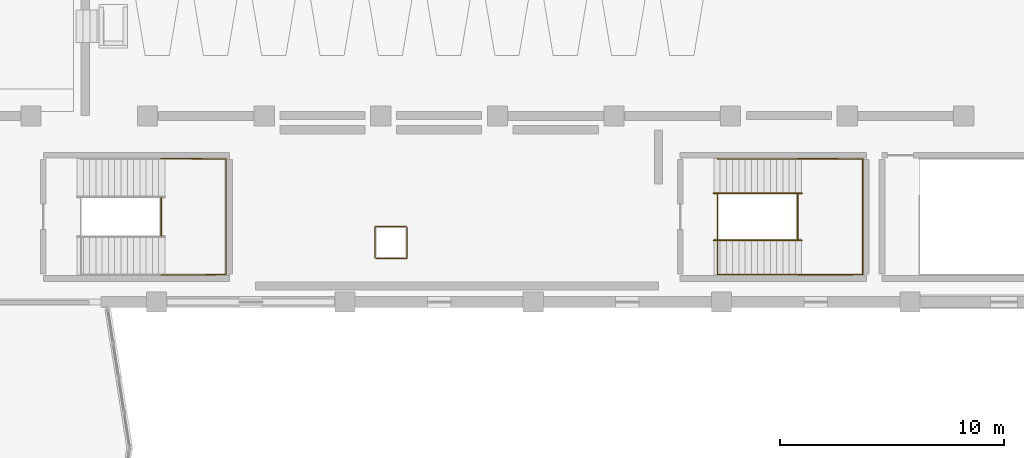
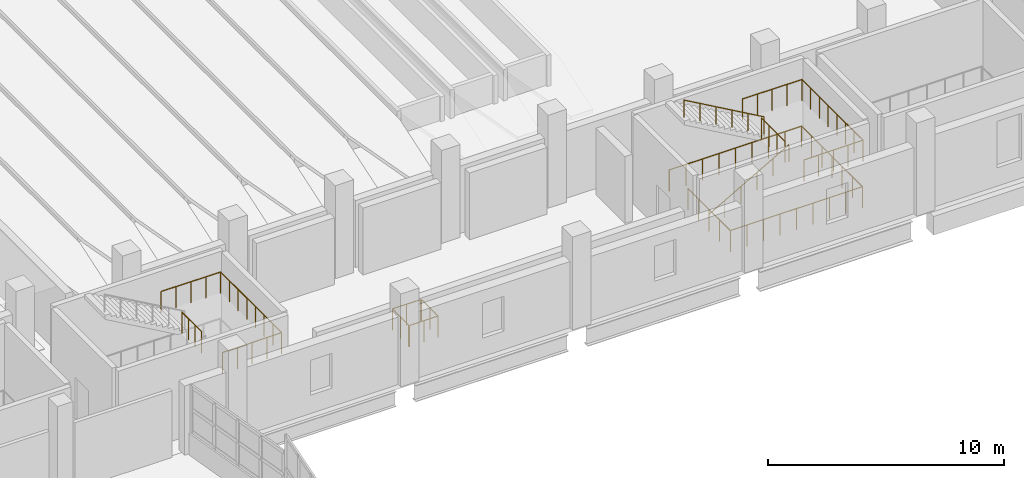
# One storey, part 111 of 117: 9 railings.
"""IFC4 building model written with IfcOpenShell, lengths in metres."""

from ifc_helpers import new_model, si_unit, direction, frame, origin, origin_2d, place, context, subcontext, project, spatial, circle, extrude, material, type_object, element, save


model = new_model("IFC4")

# Units and contexts
model_context = context("Model", 3, precision=1e-05, world=origin(), true_north=direction((0.0, 1.0)))
body_context = subcontext(model_context, "Body", "Model", "MODEL_VIEW")
ifc_project = project(units=[si_unit("LENGTHUNIT", "METRE"), si_unit("AREAUNIT", "SQUARE_METRE"), si_unit("VOLUMEUNIT", "CUBIC_METRE"), si_unit("PLANEANGLEUNIT", "RADIAN"), si_unit("MASSUNIT", "GRAM", prefix="KILO")], contexts=[model_context])

# Site, building, storey
site_placement = place(None, origin())
site = spatial("IfcSite", under=ifc_project, at=site_placement, CompositionType="ELEMENT")
building_placement = place(site_placement, origin())
building = spatial("IfcBuilding", under=site, at=building_placement, Name="Solvento Point Concert Hall", CompositionType="ELEMENT")
storey_placement = place(building_placement, frame((0.0, 0.0, 5.39990234375)))
storey = spatial("IfcBuildingStorey", under=building, at=storey_placement, Name="L01", CompositionType="ELEMENT", Elevation=5.39990234375)

# Railings
ifc_material_1 = material(Name="Brushed Stainless Steel Balustrade", Category="steel")
railing_type_1 = type_object("IfcRailingType", Name="StairHandrail_915", PredefinedType="HANDRAIL", material=ifc_material_1)
railing_1_placement = place(storey_placement, frame((116.050048828125, 45.25, 0.16015625)))
element("IfcRailing", 1, at=railing_1_placement, inside=storey, type_object=railing_type_1, Name="Stair handrail HR-01 ST-07 L01 F1", PredefinedType="HANDRAIL", context=body_context, shape_type="SweptSolid", body=[
    extrude(circle(Radius=0.0224609375, at=origin_2d()), frame((0.0, 0.0, 0.892578125), z_axis=(0.868239814368, 0.0, 0.496144761885), x_axis=(0.0, 1.0, 0.0)), (0.0, 0.0, 1.0), 4.514892578125),
    extrude(circle(Radius=0.01904296875, at=origin_2d()), origin(), (0.0, 0.0, 1.0), 0.8701171875),
    extrude(circle(Radius=0.01904296875, at=origin_2d()), frame((0.783935546875, 0.0, 0.447998046875)), (0.0, 0.0, 1.0), 0.8701171875),
    extrude(circle(Radius=0.01904296875, at=origin_2d()), frame((1.56787109375, 0.0, 0.89599609375)), (0.0, 0.0, 1.0), 0.8701171875),
    extrude(circle(Radius=0.01904296875, at=origin_2d()), frame((2.35205078125, 0.0, 1.343994140625)), (0.0, 0.0, 1.0), 0.8701171875),
    extrude(circle(Radius=0.01904296875, at=origin_2d()), frame((3.135986328125, 0.0, 1.7919921875)), (0.0, 0.0, 1.0), 0.8701171875),
    extrude(circle(Radius=0.01904296875, at=origin_2d()), frame((3.919921875, 0.0, 2.239990234375)), (0.0, 0.0, 1.0), 0.8701171875),
])
railing_2_placement = place(storey_placement, frame((119.969970703125, 47.35009765625, 2.56005859375)))
element("IfcRailing", 2, at=railing_2_placement, inside=storey, type_object=railing_type_1, Name="Stair handrail HR-01 ST-07 L01 F2", PredefinedType="HANDRAIL", context=body_context, shape_type="SweptSolid", body=[
    extrude(circle(Radius=0.0224609375, at=origin_2d()), frame((0.0, 0.0, 0.892578125), z_axis=(-0.868239814368, 0.0, 0.496144761885), x_axis=(0.0, -1.0, 0.0)), (0.0, 0.0, 1.0), 4.514892578125),
    extrude(circle(Radius=0.01904296875, at=origin_2d()), origin(), (0.0, 0.0, 1.0), 0.8701171875),
    extrude(circle(Radius=0.01904296875, at=origin_2d()), frame((-0.783935546875, 0.0, 0.447998046875)), (0.0, 0.0, 1.0), 0.8701171875),
    extrude(circle(Radius=0.01904296875, at=origin_2d()), frame((-1.56787109375, 0.0, 0.89599609375)), (0.0, 0.0, 1.0), 0.8701171875),
    extrude(circle(Radius=0.01904296875, at=origin_2d()), frame((-2.35205078125, 0.0, 1.343994140625)), (0.0, 0.0, 1.0), 0.8701171875),
    extrude(circle(Radius=0.01904296875, at=origin_2d()), frame((-3.135986328125, 0.0, 1.7919921875)), (0.0, 0.0, 1.0), 0.8701171875),
    extrude(circle(Radius=0.01904296875, at=origin_2d()), frame((-3.919921875, 0.0, 2.239990234375)), (0.0, 0.0, 1.0), 0.8701171875),
])
ifc_material_2 = material(Name="Brushed Stainless Steel Balustrade", Category="steel")
railing_type_2 = type_object("IfcRailingType", Name="StairWellGuard_1100", PredefinedType="BALUSTRADE", material=ifc_material_2)
railing_3_placement = place(storey_placement, frame((91.39990234375, 43.699951171875, 2.400146484375)))
element("IfcRailing", 3, at=railing_3_placement, inside=storey, type_object=railing_type_2, Name="Half-landing perimeter guard GR-02 ST-06 L01", PredefinedType="BALUSTRADE", context=body_context, shape_type="SweptSolid", body=[
    extrude(circle(Radius=0.02392578125, at=origin_2d()), frame((0.0, 0.0, 1.09619140625), z_axis=(0.999976175575, 0.006902773499, 0.0), x_axis=(-0.006902773499, 0.999976175575, 0.0)), (0.0, 0.0, 1.0), 2.900146484375),
    extrude(circle(Radius=0.02392578125, at=origin_2d()), frame((2.900146484375, 0.02001953125, 1.09619140625), z_axis=(0.0, 1.0, 0.0), x_axis=(-1.0, 0.0, 0.0)), (0.0, 0.0, 1.0), 5.159912109375),
    extrude(circle(Radius=0.02392578125, at=origin_2d()), frame((2.900146484375, 5.179931640625, 1.09619140625), z_axis=(-0.999976175575, 0.006902773499, 0.0), x_axis=(-0.006902773499, -0.999976175575, 0.0)), (0.0, 0.0, 1.0), 2.900146484375),
    extrude(circle(Radius=0.02099609375, at=origin_2d()), origin(), (0.0, 0.0, 1.0), 1.072021484375),
    extrude(circle(Radius=0.02099609375, at=origin_2d()), frame((0.72509765625, 0.0048828125, 0.0)), (0.0, 0.0, 1.0), 1.072021484375),
    extrude(circle(Radius=0.02099609375, at=origin_2d()), frame((1.4501953125, 0.010009765625, 0.0)), (0.0, 0.0, 1.0), 1.072021484375),
    extrude(circle(Radius=0.02099609375, at=origin_2d()), frame((2.175048828125, 0.01513671875, 0.0)), (0.0, 0.0, 1.0), 1.072021484375),
    extrude(circle(Radius=0.02099609375, at=origin_2d()), frame((2.900146484375, 0.02001953125, 0.0)), (0.0, 0.0, 1.0), 1.072021484375),
    extrude(circle(Radius=0.02099609375, at=origin_2d()), frame((2.900146484375, 0.757080078125, 0.0)), (0.0, 0.0, 1.0), 1.072021484375),
    extrude(circle(Radius=0.02099609375, at=origin_2d()), frame((2.900146484375, 1.494384765625, 0.0)), (0.0, 0.0, 1.0), 1.072021484375),
    extrude(circle(Radius=0.02099609375, at=origin_2d()), frame((2.900146484375, 2.2314453125, 0.0)), (0.0, 0.0, 1.0), 1.072021484375),
    extrude(circle(Radius=0.02099609375, at=origin_2d()), frame((2.900146484375, 2.968505859375, 0.0)), (0.0, 0.0, 1.0), 1.072021484375),
    extrude(circle(Radius=0.02099609375, at=origin_2d()), frame((2.900146484375, 3.70556640625, 0.0)), (0.0, 0.0, 1.0), 1.072021484375),
    extrude(circle(Radius=0.02099609375, at=origin_2d()), frame((2.900146484375, 4.44287109375, 0.0)), (0.0, 0.0, 1.0), 1.072021484375),
    extrude(circle(Radius=0.02099609375, at=origin_2d()), frame((2.900146484375, 5.179931640625, 0.0)), (0.0, 0.0, 1.0), 1.072021484375),
    extrude(circle(Radius=0.02099609375, at=origin_2d()), frame((2.175048828125, 5.18505859375, 0.0)), (0.0, 0.0, 1.0), 1.072021484375),
    extrude(circle(Radius=0.02099609375, at=origin_2d()), frame((1.4501953125, 5.18994140625, 0.0)), (0.0, 0.0, 1.0), 1.072021484375),
    extrude(circle(Radius=0.02099609375, at=origin_2d()), frame((0.72509765625, 5.19482421875, 0.0)), (0.0, 0.0, 1.0), 1.072021484375),
    extrude(circle(Radius=0.02099609375, at=origin_2d()), frame((0.0, 5.199951171875, 0.0)), (0.0, 0.0, 1.0), 1.072021484375),
])
railing_4_placement = place(storey_placement, frame((91.39990234375, 45.4599609375, 2.400146484375)))
element("IfcRailing", 4, at=railing_4_placement, inside=storey, type_object=railing_type_2, Name="Half-landing slot guard GR-02 ST-06 L01", PredefinedType="BALUSTRADE", context=body_context, shape_type="SweptSolid", body=[
    extrude(circle(Radius=0.02392578125, at=origin_2d()), frame((0.0, 0.0, 1.09619140625), z_axis=(0.0, 1.0, 0.0), x_axis=(-1.0, 0.0, 0.0)), (0.0, 0.0, 1.0), 1.679931640625),
    extrude(circle(Radius=0.02099609375, at=origin_2d()), origin(), (0.0, 0.0, 1.0), 1.072021484375),
    extrude(circle(Radius=0.02099609375, at=origin_2d()), frame((0.0, 0.56005859375, 0.0)), (0.0, 0.0, 1.0), 1.072021484375),
    extrude(circle(Radius=0.02099609375, at=origin_2d()), frame((0.0, 1.119873046875, 0.0)), (0.0, 0.0, 1.0), 1.072021484375),
    extrude(circle(Radius=0.02099609375, at=origin_2d()), frame((0.0, 1.679931640625, 0.0)), (0.0, 0.0, 1.0), 1.072021484375),
])
railing_5_placement = place(storey_placement, frame((116.219970703125, 47.300048828125, 0.0)))
element("IfcRailing", 5, at=railing_5_placement, inside=storey, type_object=railing_type_2, Name="Stairwell guard GR-02 ST-07 L01", PredefinedType="BALUSTRADE", context=body_context, shape_type="SweptSolid", body=[
    extrude(circle(Radius=0.02392578125, at=origin_2d()), frame((0.0, 0.0, 1.09619140625), z_axis=(0.0, -1.0, 0.0), x_axis=(1.0, 0.0, 0.0)), (0.0, 0.0, 1.0), 3.580078125),
    extrude(circle(Radius=0.02392578125, at=origin_2d()), frame((0.0, -3.580078125, 1.09619140625), z_axis=(1.0, 0.0, 0.0), x_axis=(0.0, 1.0, 0.0)), (0.0, 0.0, 1.0), 6.4599609375),
    extrude(circle(Radius=0.02392578125, at=origin_2d()), frame((6.4599609375, -3.580078125, 1.09619140625), z_axis=(0.0, 1.0, 0.0), x_axis=(-1.0, 0.0, 0.0)), (0.0, 0.0, 1.0), 5.159912109375),
    extrude(circle(Radius=0.02392578125, at=origin_2d()), frame((6.4599609375, 1.579833984375, 1.09619140625), z_axis=(-1.0, 0.0, 0.0), x_axis=(0.0, -1.0, 0.0)), (0.0, 0.0, 1.0), 6.4599609375),
    extrude(circle(Radius=0.02392578125, at=origin_2d()), frame((0.0, 1.579833984375, 1.09619140625), z_axis=(0.0, 1.0, 0.0), x_axis=(-1.0, 0.0, 0.0)), (0.0, 0.0, 1.0), 0.02001953125),
    extrude(circle(Radius=0.02099609375, at=origin_2d()), origin(), (0.0, 0.0, 1.0), 1.072021484375),
    extrude(circle(Radius=0.02099609375, at=origin_2d()), frame((0.0, -0.89501953125, 0.0)), (0.0, 0.0, 1.0), 1.072021484375),
    extrude(circle(Radius=0.02099609375, at=origin_2d()), frame((0.0, -1.7900390625, 0.0)), (0.0, 0.0, 1.0), 1.072021484375),
    extrude(circle(Radius=0.02099609375, at=origin_2d()), frame((0.0, -2.68505859375, 0.0)), (0.0, 0.0, 1.0), 1.072021484375),
    extrude(circle(Radius=0.02099609375, at=origin_2d()), frame((0.0, -3.580078125, 0.0)), (0.0, 0.0, 1.0), 1.072021484375),
    extrude(circle(Radius=0.02099609375, at=origin_2d()), frame((0.8076171875, -3.580078125, 0.0)), (0.0, 0.0, 1.0), 1.072021484375),
    extrude(circle(Radius=0.02099609375, at=origin_2d()), frame((1.614990234375, -3.580078125, 0.0)), (0.0, 0.0, 1.0), 1.072021484375),
    extrude(circle(Radius=0.02099609375, at=origin_2d()), frame((2.42236328125, -3.580078125, 0.0)), (0.0, 0.0, 1.0), 1.072021484375),
    extrude(circle(Radius=0.02099609375, at=origin_2d()), frame((3.22998046875, -3.580078125, 0.0)), (0.0, 0.0, 1.0), 1.072021484375),
    extrude(circle(Radius=0.02099609375, at=origin_2d()), frame((4.03759765625, -3.580078125, 0.0)), (0.0, 0.0, 1.0), 1.072021484375),
    extrude(circle(Radius=0.02099609375, at=origin_2d()), frame((4.844970703125, -3.580078125, 0.0)), (0.0, 0.0, 1.0), 1.072021484375),
    extrude(circle(Radius=0.02099609375, at=origin_2d()), frame((5.65234375, -3.580078125, 0.0)), (0.0, 0.0, 1.0), 1.072021484375),
    extrude(circle(Radius=0.02099609375, at=origin_2d()), frame((6.4599609375, -3.580078125, 0.0)), (0.0, 0.0, 1.0), 1.072021484375),
    extrude(circle(Radius=0.02099609375, at=origin_2d()), frame((6.4599609375, -2.72021484375, 0.0)), (0.0, 0.0, 1.0), 1.072021484375),
    extrude(circle(Radius=0.02099609375, at=origin_2d()), frame((6.4599609375, -1.860107421875, 0.0)), (0.0, 0.0, 1.0), 1.072021484375),
    extrude(circle(Radius=0.02099609375, at=origin_2d()), frame((6.4599609375, -1.0, 0.0)), (0.0, 0.0, 1.0), 1.072021484375),
    extrude(circle(Radius=0.02099609375, at=origin_2d()), frame((6.4599609375, -0.14013671875, 0.0)), (0.0, 0.0, 1.0), 1.072021484375),
    extrude(circle(Radius=0.02099609375, at=origin_2d()), frame((6.4599609375, 0.7197265625, 0.0)), (0.0, 0.0, 1.0), 1.072021484375),
    extrude(circle(Radius=0.02099609375, at=origin_2d()), frame((6.4599609375, 1.579833984375, 0.0)), (0.0, 0.0, 1.0), 1.072021484375),
    extrude(circle(Radius=0.02099609375, at=origin_2d()), frame((5.65234375, 1.579833984375, 0.0)), (0.0, 0.0, 1.0), 1.072021484375),
    extrude(circle(Radius=0.02099609375, at=origin_2d()), frame((4.844970703125, 1.579833984375, 0.0)), (0.0, 0.0, 1.0), 1.072021484375),
    extrude(circle(Radius=0.02099609375, at=origin_2d()), frame((4.03759765625, 1.579833984375, 0.0)), (0.0, 0.0, 1.0), 1.072021484375),
    extrude(circle(Radius=0.02099609375, at=origin_2d()), frame((3.22998046875, 1.579833984375, 0.0)), (0.0, 0.0, 1.0), 1.072021484375),
    extrude(circle(Radius=0.02099609375, at=origin_2d()), frame((2.42236328125, 1.579833984375, 0.0)), (0.0, 0.0, 1.0), 1.072021484375),
    extrude(circle(Radius=0.02099609375, at=origin_2d()), frame((1.614990234375, 1.579833984375, 0.0)), (0.0, 0.0, 1.0), 1.072021484375),
    extrude(circle(Radius=0.02099609375, at=origin_2d()), frame((0.8076171875, 1.579833984375, 0.0)), (0.0, 0.0, 1.0), 1.072021484375),
    extrude(circle(Radius=0.02099609375, at=origin_2d()), frame((0.0, 1.579833984375, 0.0)), (0.0, 0.0, 1.0), 1.072021484375),
    extrude(circle(Radius=0.02099609375, at=origin_2d()), frame((0.0, 1.599853515625, 0.0)), (0.0, 0.0, 1.0), 1.072021484375),
])
railing_6_placement = place(storey_placement, frame((119.800048828125, 43.699951171875, 2.400146484375)))
element("IfcRailing", 6, at=railing_6_placement, inside=storey, type_object=railing_type_2, Name="Half-landing perimeter guard GR-02 ST-07 L01", PredefinedType="BALUSTRADE", context=body_context, shape_type="SweptSolid", body=[
    extrude(circle(Radius=0.02392578125, at=origin_2d()), frame((0.0, 0.0, 1.09619140625), z_axis=(0.999976171564, 0.006903354611, 0.0), x_axis=(-0.006903354611, 0.999976171564, 0.0)), (0.0, 0.0, 1.0), 2.89990234375),
    extrude(circle(Radius=0.02392578125, at=origin_2d()), frame((2.89990234375, 0.02001953125, 1.09619140625), z_axis=(0.0, 1.0, 0.0), x_axis=(-1.0, 0.0, 0.0)), (0.0, 0.0, 1.0), 5.159912109375),
    extrude(circle(Radius=0.02392578125, at=origin_2d()), frame((2.89990234375, 5.179931640625, 1.09619140625), z_axis=(-0.999976171564, 0.006903354611, 0.0), x_axis=(-0.006903354611, -0.999976171564, 0.0)), (0.0, 0.0, 1.0), 2.89990234375),
    extrude(circle(Radius=0.02099609375, at=origin_2d()), origin(), (0.0, 0.0, 1.0), 1.072021484375),
    extrude(circle(Radius=0.02099609375, at=origin_2d()), frame((0.72509765625, 0.0048828125, 0.0)), (0.0, 0.0, 1.0), 1.072021484375),
    extrude(circle(Radius=0.02099609375, at=origin_2d()), frame((1.449951171875, 0.010009765625, 0.0)), (0.0, 0.0, 1.0), 1.072021484375),
    extrude(circle(Radius=0.02099609375, at=origin_2d()), frame((2.1748046875, 0.01513671875, 0.0)), (0.0, 0.0, 1.0), 1.072021484375),
    extrude(circle(Radius=0.02099609375, at=origin_2d()), frame((2.89990234375, 0.02001953125, 0.0)), (0.0, 0.0, 1.0), 1.072021484375),
    extrude(circle(Radius=0.02099609375, at=origin_2d()), frame((2.89990234375, 0.757080078125, 0.0)), (0.0, 0.0, 1.0), 1.072021484375),
    extrude(circle(Radius=0.02099609375, at=origin_2d()), frame((2.89990234375, 1.494384765625, 0.0)), (0.0, 0.0, 1.0), 1.072021484375),
    extrude(circle(Radius=0.02099609375, at=origin_2d()), frame((2.89990234375, 2.2314453125, 0.0)), (0.0, 0.0, 1.0), 1.072021484375),
    extrude(circle(Radius=0.02099609375, at=origin_2d()), frame((2.89990234375, 2.968505859375, 0.0)), (0.0, 0.0, 1.0), 1.072021484375),
    extrude(circle(Radius=0.02099609375, at=origin_2d()), frame((2.89990234375, 3.70556640625, 0.0)), (0.0, 0.0, 1.0), 1.072021484375),
    extrude(circle(Radius=0.02099609375, at=origin_2d()), frame((2.89990234375, 4.44287109375, 0.0)), (0.0, 0.0, 1.0), 1.072021484375),
    extrude(circle(Radius=0.02099609375, at=origin_2d()), frame((2.89990234375, 5.179931640625, 0.0)), (0.0, 0.0, 1.0), 1.072021484375),
    extrude(circle(Radius=0.02099609375, at=origin_2d()), frame((2.1748046875, 5.18505859375, 0.0)), (0.0, 0.0, 1.0), 1.072021484375),
    extrude(circle(Radius=0.02099609375, at=origin_2d()), frame((1.449951171875, 5.18994140625, 0.0)), (0.0, 0.0, 1.0), 1.072021484375),
    extrude(circle(Radius=0.02099609375, at=origin_2d()), frame((0.72509765625, 5.19482421875, 0.0)), (0.0, 0.0, 1.0), 1.072021484375),
    extrude(circle(Radius=0.02099609375, at=origin_2d()), frame((0.0, 5.199951171875, 0.0)), (0.0, 0.0, 1.0), 1.072021484375),
])
railing_7_placement = place(storey_placement, frame((119.800048828125, 45.300048828125, 2.400146484375)))
element("IfcRailing", 7, at=railing_7_placement, inside=storey, type_object=railing_type_2, Name="Half-landing slot guard GR-02 ST-07 L01", PredefinedType="BALUSTRADE", context=body_context, shape_type="SweptSolid", body=[
    extrude(circle(Radius=0.02392578125, at=origin_2d()), frame((0.0, 0.0, 1.09619140625), z_axis=(0.0, 1.0, 0.0), x_axis=(-1.0, 0.0, 0.0)), (0.0, 0.0, 1.0), 2.0),
    extrude(circle(Radius=0.02099609375, at=origin_2d()), origin(), (0.0, 0.0, 1.0), 1.072021484375),
    extrude(circle(Radius=0.02099609375, at=origin_2d()), frame((0.0, 0.666748046875, 0.0)), (0.0, 0.0, 1.0), 1.072021484375),
    extrude(circle(Radius=0.02099609375, at=origin_2d()), frame((0.0, 1.333251953125, 0.0)), (0.0, 0.0, 1.0), 1.072021484375),
    extrude(circle(Radius=0.02099609375, at=origin_2d()), frame((0.0, 2.0, 0.0)), (0.0, 0.0, 1.0), 1.072021484375),
])
ifc_material_3 = material(Name="Brushed Stainless Steel Balustrade", Category="steel")
railing_type_3 = type_object("IfcRailingType", Name="TerraceBalustrade_1100", PredefinedType="BALUSTRADE", material=ifc_material_3)
railing_8_placement = place(storey_placement, frame((102.330078125, 45.860107421875, 0.0)))
element("IfcRailing", 8, at=railing_8_placement, inside=storey, type_object=railing_type_3, Name="Guard balustrade GR-01 L01", PredefinedType="BALUSTRADE", context=body_context, shape_type="SweptSolid", body=[
    extrude(circle(Radius=0.02392578125, at=origin_2d()), frame((0.0, 0.0, 1.09619140625), z_axis=(-1.0, 0.0, 0.0), x_axis=(0.0, -1.0, 0.0)), (0.0, 0.0, 1.0), 1.39013671875),
    extrude(circle(Radius=0.02392578125, at=origin_2d()), frame((-1.39013671875, 0.0, 1.09619140625), z_axis=(0.0, -1.0, 0.0), x_axis=(1.0, 0.0, 0.0)), (0.0, 0.0, 1.0), 1.39013671875),
    extrude(circle(Radius=0.02099609375, at=origin_2d()), origin(), (0.0, 0.0, 1.0), 1.072021484375),
    extrude(circle(Radius=0.02099609375, at=origin_2d()), frame((-0.695068359375, 0.0, 0.0)), (0.0, 0.0, 1.0), 1.072021484375),
    extrude(circle(Radius=0.02099609375, at=origin_2d()), frame((-1.39013671875, 0.0, 0.0)), (0.0, 0.0, 1.0), 1.072021484375),
    extrude(circle(Radius=0.02099609375, at=origin_2d()), frame((-1.39013671875, -0.695068359375, 0.0)), (0.0, 0.0, 1.0), 1.072021484375),
    extrude(circle(Radius=0.02099609375, at=origin_2d()), frame((-1.39013671875, -1.39013671875, 0.0)), (0.0, 0.0, 1.0), 1.072021484375),
])
railing_9_placement = place(storey_placement, frame((100.969970703125, 44.43994140625, 0.0)))
element("IfcRailing", 9, at=railing_9_placement, inside=storey, type_object=railing_type_3, Name="Guard balustrade GR-01 L01", PredefinedType="BALUSTRADE", context=body_context, shape_type="SweptSolid", body=[
    extrude(circle(Radius=0.02392578125, at=origin_2d()), frame((0.0, 0.0, 1.09619140625), z_axis=(1.0, 0.0, 0.0), x_axis=(0.0, 1.0, 0.0)), (0.0, 0.0, 1.0), 1.39013671875),
    extrude(circle(Radius=0.02392578125, at=origin_2d()), frame((1.39013671875, 0.0, 1.09619140625), z_axis=(0.0, 1.0, 0.0), x_axis=(-1.0, 0.0, 0.0)), (0.0, 0.0, 1.0), 1.39013671875),
    extrude(circle(Radius=0.02099609375, at=origin_2d()), origin(), (0.0, 0.0, 1.0), 1.072021484375),
    extrude(circle(Radius=0.02099609375, at=origin_2d()), frame((0.695068359375, 0.0, 0.0)), (0.0, 0.0, 1.0), 1.072021484375),
    extrude(circle(Radius=0.02099609375, at=origin_2d()), frame((1.39013671875, 0.0, 0.0)), (0.0, 0.0, 1.0), 1.072021484375),
    extrude(circle(Radius=0.02099609375, at=origin_2d()), frame((1.39013671875, 0.695068359375, 0.0)), (0.0, 0.0, 1.0), 1.072021484375),
    extrude(circle(Radius=0.02099609375, at=origin_2d()), frame((1.39013671875, 1.39013671875, 0.0)), (0.0, 0.0, 1.0), 1.072021484375),
])

save(model, "model.ifc")
